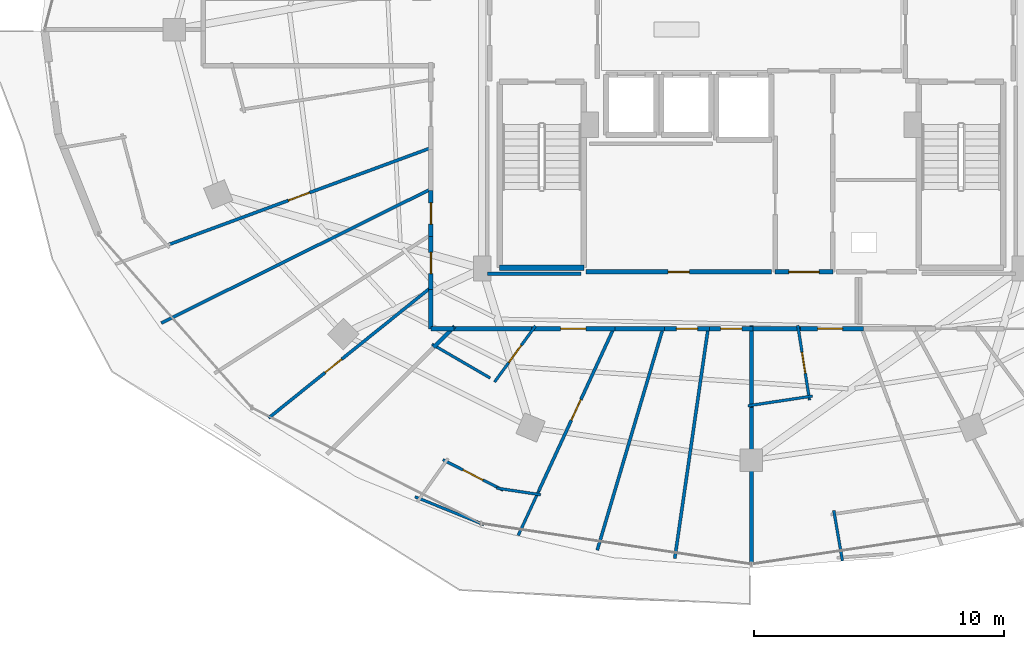
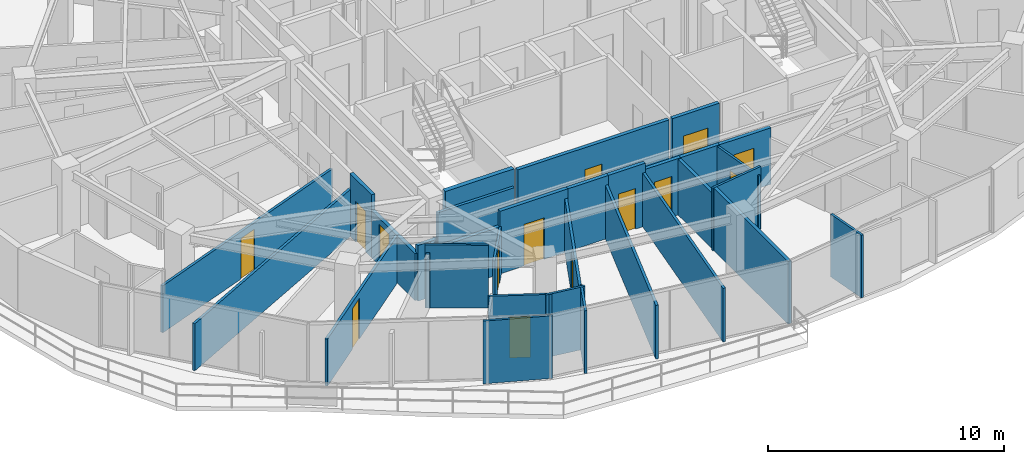
# One storey, part 24 of 34: 33 walls, 14 doors, 14 openings.
"""IFC4 building model written with IfcOpenShell, lengths in metres."""

import ifcopenshell
import ifcopenshell.guid

model = None  # the IFC model being written
_history = None  # IfcOwnerHistory: only IFC2X3 demands one
_inside = {}  # id of a spatial element -> (the spatial element, [elements in it])
_under = {}  # id of a project, library or spatial element -> (it, [spatial elements below it])
_declared = {}  # id of a project -> (the project, [libraries it declares])
_typed = {}  # id of a type object -> (the type object, [elements of that type])
_made_of = {}  # id of a material, layer set ... -> (it, [elements and type objects made of it])


def new_model(schema):
    """Start an empty IFC model of exactly this schema.

    Asked for "IFC4X3", IfcOpenShell would pick the latest addendum, in which some entities
    have other attributes; the version numbers below select the first issue.
    IFC2X3 requires an IfcOwnerHistory on every rooted entity: one is made here for all.
    """
    global model, _history
    if schema == "IFC4X3":
        model = ifcopenshell.file(schema_version=(4, 3, 0, 0))
    else:
        model = ifcopenshell.file(schema=schema)
    _inside.clear()
    _under.clear()
    _declared.clear()
    _typed.clear()
    _made_of.clear()
    _history = None
    if model.schema == "IFC2X3":
        org = make("IfcOrganization", Name="unknown")
        user = make(
            "IfcPersonAndOrganization",
            ThePerson=make("IfcPerson", FamilyName="unknown"),
            TheOrganization=org,
        )
        app = make(
            "IfcApplication",
            ApplicationDeveloper=org,
            Version="unknown",
            ApplicationFullName="unknown",
            ApplicationIdentifier="unknown",
        )
        _history = make(
            "IfcOwnerHistory",
            OwningUser=user,
            OwningApplication=app,
            ChangeAction="ADDED",
            CreationDate=0,
        )
    return model


def make(cls, **values):
    """One entity of the class cls with the attributes given. An attribute that is None is left unset."""
    return model.create_entity(
        cls, **{name: value for name, value in values.items() if value is not None}
    )


def rooted(cls, **values):
    """An entity with a GlobalId (a new one), such as an element, a storey or a relation."""
    return make(cls, GlobalId=ifcopenshell.guid.new(), OwnerHistory=_history, **values)


def si_unit(unit_type, name, prefix=None):
    """IfcSIUnit, for example si_unit("LENGTHUNIT", "METRE", prefix="MILLI")."""
    return make("IfcSIUnit", UnitType=unit_type, Prefix=prefix, Name=name)


def assignment(units):
    """IfcUnitAssignment: the units of a project."""
    return None if units is None else make("IfcUnitAssignment", Units=units)


def point(xyz):
    """IfcCartesianPoint."""
    return None if xyz is None else make("IfcCartesianPoint", Coordinates=xyz)


def direction(xyz):
    """IfcDirection."""
    return None if xyz is None else make("IfcDirection", DirectionRatios=xyz)


def frame(location, z_axis=None, x_axis=None):
    """IfcAxis2Placement3D, a coordinate frame: its origin and axes. An axis left out is left unset."""
    return make(
        "IfcAxis2Placement3D",
        Location=point(location),
        Axis=direction(z_axis),
        RefDirection=direction(x_axis),
    )


def frame_2d(location, x_axis=None):
    """IfcAxis2Placement2D, a coordinate frame in the plane: its origin and x axis."""
    return make(
        "IfcAxis2Placement2D", Location=point(location), RefDirection=direction(x_axis)
    )


def origin():
    """The frame at (0, 0, 0) with its axes left unset."""
    return frame((0.0, 0.0, 0.0))


def place(relative_to, where):
    """IfcLocalPlacement: puts the frame where relative to a parent placement (None: the world)."""
    return make(
        "IfcLocalPlacement", PlacementRelTo=relative_to, RelativePlacement=where
    )


def context(
    kind, dimensions, precision=None, world=None, true_north=None, identifier=None
):
    """IfcGeometricRepresentationContext, for example the 3D "Model" context."""
    return make(
        "IfcGeometricRepresentationContext",
        ContextIdentifier=identifier,
        ContextType=kind,
        CoordinateSpaceDimension=dimensions,
        Precision=precision,
        WorldCoordinateSystem=world,
        TrueNorth=true_north,
    )


def subcontext(parent, identifier, kind, view, scale=None):
    """IfcGeometricRepresentationSubContext, for example "Body" below "Model"."""
    return make(
        "IfcGeometricRepresentationSubContext",
        ContextIdentifier=identifier,
        ContextType=kind,
        ParentContext=parent,
        TargetScale=scale,
        TargetView=view,
    )


def project(units=None, contexts=None):
    """IfcProject with its units and contexts."""
    return rooted(
        "IfcProject",
        Name="project",
        RepresentationContexts=contexts,
        UnitsInContext=assignment(units),
    )


def spatial(cls, under=None, at=None, **own):
    """A site, building, storey or space (cls), placed at a placement, below another one or the project."""
    s = rooted(cls, ObjectPlacement=at, **own)
    if under is not None:
        _under.setdefault(under.id(), (under, []))[1].append(s)
    return s


def profile(cls, at=None, kind="AREA", **sizes):
    """A parametric profile (cls). Its sizes go by their IFC names, for example OverallWidth=200.0."""
    return make(cls, ProfileType=kind, Position=at, **sizes)


def rectangle(**sizes):
    """IfcRectangleProfileDef."""
    return profile("IfcRectangleProfileDef", **sizes)


def extrude(swept, where, along, depth):
    """IfcExtrudedAreaSolid: the profile swept, set in the frame where, extruded along a direction by depth."""
    return make(
        "IfcExtrudedAreaSolid",
        SweptArea=swept,
        Position=where,
        ExtrudedDirection=direction(along),
        Depth=depth,
    )


def shape(context_of_items, identifier, shape_type, items):
    """IfcShapeRepresentation: the items that make up one representation, for example the "Body"."""
    return make(
        "IfcShapeRepresentation",
        ContextOfItems=context_of_items,
        RepresentationIdentifier=identifier,
        RepresentationType=shape_type,
        Items=items,
    )


def material(Name=None, Category=None):
    """IfcMaterial."""
    return make("IfcMaterial", Name=Name, Category=Category)


def layer(
    of_material, thickness, ventilated=None, Name=None, Category=None, Priority=None
):
    """IfcMaterialLayer: one layer of a wall or slab, of a material (None: an air gap)."""
    return make(
        "IfcMaterialLayer",
        Material=of_material,
        LayerThickness=thickness,
        IsVentilated=ventilated,
        Name=Name,
        Category=Category,
        Priority=Priority,
    )


def layer_set(layers, Name=None):
    """IfcMaterialLayerSet."""
    return make("IfcMaterialLayerSet", MaterialLayers=layers, LayerSetName=Name)


def made_of(thing, what):
    """Note that an element or type object is made of a material, layer set ...; save() writes the relation."""
    if what is not None:
        _made_of.setdefault(what.id(), (what, []))[1].append(thing)
    return thing


def type_object(cls, material=None, **own):
    """A type object (cls), such as IfcWallType, which elements share."""
    return made_of(rooted(cls, **own), material)


def element(
    cls,
    number,
    at=None,
    inside=None,
    cuts=None,
    type_object=None,
    material=None,
    context=None,
    identifier="Body",
    shape_type=None,
    held_by="IfcProductDefinitionShape",
    body=None,
    shapes=None,
    **own,
):
    """One element of the class cls, such as IfcWall. Its Tag is "e" and its number.

    at: its placement. inside: the storey or other place that contains it. cuts: it is an
    opening in that element (IfcRelVoidsElement). A single representation is given by context,
    identifier, shape_type and body (its items); several are given by shapes. held_by: the class
    of the entity that holds the representations. save() writes the other relations.
    """
    e = rooted(cls, Tag="e%d" % number, ObjectPlacement=at, **own)
    if body is not None:
        shapes = [shape(context, identifier, shape_type, body)]
    if shapes is not None:
        e.Representation = make(held_by, Representations=shapes)
    if inside is not None:
        _inside.setdefault(inside.id(), (inside, []))[1].append(e)
    if cuts is not None:
        rooted(
            "IfcRelVoidsElement", RelatingBuildingElement=cuts, RelatedOpeningElement=e
        )
    if type_object is not None:
        _typed.setdefault(type_object.id(), (type_object, []))[1].append(e)
    return made_of(e, material)


def fill(opening, filler):
    """IfcRelFillsElement: the door or window that sits in an opening."""
    return rooted(
        "IfcRelFillsElement",
        RelatingOpeningElement=opening,
        RelatedBuildingElement=filler,
    )


def aggregate(whole, parts):
    """IfcRelAggregates: a whole, such as a stair, and the parts it consists of."""
    return rooted("IfcRelAggregates", RelatingObject=whole, RelatedObjects=parts)


def save(model, path):
    """Write the relations noted so far, then the file.

    IfcRelAggregates (storeys below a building ...), IfcRelContainedInSpatialStructure (elements
    in a storey), IfcRelDefinesByType, IfcRelAssociatesMaterial and IfcRelDeclares: one each for
    every whole, place, type object, material and project.
    """
    for whole, parts in _under.values():
        aggregate(whole, parts)
    for where, things in _inside.values():
        rooted(
            "IfcRelContainedInSpatialStructure",
            RelatedElements=things,
            RelatingStructure=where,
        )
    for kind, things in _typed.values():
        rooted("IfcRelDefinesByType", RelatedObjects=things, RelatingType=kind)
    for what, things in _made_of.values():
        rooted("IfcRelAssociatesMaterial", RelatedObjects=things, RelatingMaterial=what)
    for by, libraries in _declared.values():
        rooted("IfcRelDeclares", RelatingContext=by, RelatedDefinitions=libraries)
    model.write(path)


model = new_model("IFC4")

# Units and contexts
model_context = context("Model", 3, precision=1e-05, world=origin(), true_north=direction((0.0, 1.0)))
body_context = subcontext(model_context, "Body", "Model", "MODEL_VIEW")
ifc_project = project(units=[si_unit("LENGTHUNIT", "METRE"), si_unit("AREAUNIT", "SQUARE_METRE"), si_unit("VOLUMEUNIT", "CUBIC_METRE"), si_unit("PLANEANGLEUNIT", "RADIAN"), si_unit("MASSUNIT", "GRAM", prefix="KILO")], contexts=[model_context])

# Site, building, storey
site_placement = place(None, origin())
site = spatial("IfcSite", under=ifc_project, at=site_placement, CompositionType="ELEMENT")
building_placement = place(site_placement, origin())
building = spatial("IfcBuilding", under=site, at=building_placement, Name="Vorneva Point Tower", CompositionType="ELEMENT")
storey_placement = place(building_placement, frame((0.0, 0.0, 182.60009765625)))
storey = spatial("IfcBuildingStorey", under=building, at=storey_placement, Name="L49", CompositionType="ELEMENT", Elevation=182.60009765625)

# Wall, opening, door
ifc_material_1 = material(Name="Fire-rated acoustic gypsum stud partition", Category="gypsum")
ifc_layer_1 = layer(ifc_material_1, 0.110107421875)
ifc_layer_set_1 = layer_set([ifc_layer_1], Name="Fire-rated acoustic gypsum stud partition")
wall_type_1 = type_object("IfcWallType", Name="WL-PART-110", PredefinedType="PARTITIONING", material=ifc_layer_set_1)
wall_1_placement = place(storey_placement, frame((29.37158203125, 14.1630859375, 0.0), z_axis=(0.0, 0.0, 1.0), x_axis=(-0.589066743954, -0.808084383693, 0.0)))
wall_1 = element("IfcWall", 1, at=wall_1_placement, inside=storey, type_object=wall_type_1, Name="L49 Interior Partition 155", PredefinedType="PARTITIONING", context=body_context, shape_type="SweptSolid", body=[
    extrude(rectangle(XDim=2.772216796875, YDim=0.110107421875, at=frame_2d((1.38623046875, 0.0))), origin(), (0.0, 0.0, 1.0), 2.431884765625),
])
opening_1_placement = place(wall_1_placement, frame((0.961181640625, 0.0, 0.0)))
opening_1 = element("IfcOpeningElement", 2, at=opening_1_placement, cuts=wall_1, Name="Opening ID-02", PredefinedType="OPENING", context=body_context, shape_type="SweptSolid", body=[
    extrude(rectangle(XDim=0.85009765625, YDim=2.10009765625, at=frame_2d((0.425048828125, 1.050048828125))), frame((0.0, 0.06982421875, 0.0), z_axis=(0.0, -1.0, 0.0), x_axis=(1.0, 0.0, 0.0)), (0.0, 0.0, 1.0), 0.139892578125),
])
ifc_material_2 = material(Name="Engineered oak fire-rated door leaf", Category="wood")
door_type_1 = type_object("IfcDoorType", Name="DR-BATH-850", OperationType="NOTDEFINED", PredefinedType="DOOR", material=ifc_material_2)
door_1_placement = place(opening_1_placement, origin())
door_1 = element("IfcDoor", 3, at=door_1_placement, inside=storey, type_object=door_type_1, Name="L49 Door Living and Dining Room L49-06 / Bathroom L49-06", OperationType="SINGLE_SWING_RIGHT", OverallHeight=2.10009765625, OverallWidth=0.85009765625, PredefinedType="DOOR", context=body_context, shape_type="SweptSolid", body=[
    extrude(rectangle(XDim=0.85009765625, YDim=2.10009765625, at=frame_2d((0.425048828125, 1.050048828125))), frame((0.0, 0.02490234375, 0.0), z_axis=(0.0, -1.0, 0.0), x_axis=(1.0, 0.0, 0.0)), (0.0, 0.0, 1.0), 0.050048828125),
])
fill(opening_1, door_1)

# Wall
wall_2_placement = place(storey_placement, frame((27.568115234375, 12.08251953125, 0.0), z_axis=(0.0, 0.0, 1.0), x_axis=(-0.864515441931, 0.502606258082, 0.0)))
element("IfcWall", 4, at=wall_2_placement, inside=storey, type_object=wall_type_1, Name="L49 Interior Partition 156", PredefinedType="PARTITIONING", context=body_context, shape_type="SweptSolid", body=[
    extrude(rectangle(XDim=2.689697265625, YDim=0.110107421875, at=frame_2d((1.3447265625, 0.0))), origin(), (0.0, 0.0, 1.0), 3.239990234375),
])

# Wall, opening, door
wall_3_placement = place(storey_placement, frame((25.675048828125, 8.820068359375, 0.0), z_axis=(0.0, 0.0, 1.0), x_axis=(0.892628057427, -0.450793911999, 0.0)))
wall_3 = element("IfcWall", 5, at=wall_3_placement, inside=storey, type_object=wall_type_1, Name="L49 Interior Partition 158", PredefinedType="PARTITIONING", context=body_context, shape_type="SweptSolid", body=[
    extrude(rectangle(XDim=2.697509765625, YDim=0.110107421875, at=frame_2d((1.3486328125, 0.0))), origin(), (0.0, 0.0, 1.0), 3.239990234375),
])
opening_2_placement = place(wall_3_placement, frame((0.89892578125, 0.0, 0.0)))
opening_2 = element("IfcOpeningElement", 6, at=opening_2_placement, cuts=wall_3, Name="Opening ID-01", PredefinedType="OPENING", context=body_context, shape_type="SweptSolid", body=[
    extrude(rectangle(XDim=0.89990234375, YDim=2.10009765625, at=frame_2d((0.449951171875, 1.050048828125))), frame((0.0, 0.06982421875, 0.0), z_axis=(0.0, -1.0, 0.0), x_axis=(1.0, 0.0, 0.0)), (0.0, 0.0, 1.0), 0.139892578125),
])
door_type_2 = type_object("IfcDoorType", Name="DR-ROOM-900", OperationType="NOTDEFINED", PredefinedType="DOOR", material=ifc_material_2)
door_2_placement = place(opening_2_placement, origin())
door_2 = element("IfcDoor", 7, at=door_2_placement, inside=storey, type_object=door_type_2, Name="L49 Door Living and Dining Room L49-06 / Kitchen L49-06", OperationType="SINGLE_SWING_RIGHT", OverallHeight=2.10009765625, OverallWidth=0.89990234375, PredefinedType="DOOR", context=body_context, shape_type="SweptSolid", body=[
    extrude(rectangle(XDim=0.89990234375, YDim=2.10009765625, at=frame_2d((0.449951171875, 1.050048828125))), frame((0.0, 0.02490234375, 0.0), z_axis=(0.0, -1.0, 0.0), x_axis=(1.0, 0.0, 0.0)), (0.0, 0.0, 1.0), 0.050048828125),
])
fill(opening_2, door_2)

# Walls
wall_4_placement = place(storey_placement, frame((27.819580078125, 7.68798828125, 0.0), z_axis=(0.0, 0.0, 1.0), x_axis=(0.988830695744, -0.149043131857, 0.0)))
element("IfcWall", 8, at=wall_4_placement, inside=storey, type_object=wall_type_1, Name="L49 Interior Partition 159", PredefinedType="PARTITIONING", context=body_context, shape_type="SweptSolid", body=[
    extrude(rectangle(XDim=1.783935546875, YDim=0.110107421875, at=frame_2d((0.89208984375, 0.0))), origin(), (0.0, 0.0, 1.0), 3.239990234375),
])
wall_5_placement = place(storey_placement, frame((29.503662109375, 7.570068359375, 0.0), z_axis=(0.0, 0.0, 1.0), x_axis=(-0.418662115749, -0.908142077451, 0.0)))
element("IfcWall", 9, at=wall_5_placement, inside=storey, type_object=wall_type_1, Name="L49 Interior Partition 160", PredefinedType="PARTITIONING", context=body_context, shape_type="SweptSolid", body=[
    extrude(rectangle(XDim=1.95458984375, YDim=0.110107421875, at=frame_2d((0.977294921875, 0.0))), origin(), (0.0, 0.0, 1.0), 3.239990234375),
])
wall_6_placement = place(storey_placement, frame((24.561279296875, 7.342529296875, 0.0), z_axis=(0.0, 0.0, 1.0), x_axis=(0.926858319785, -0.375411314487, 0.0)))
element("IfcWall", 10, at=wall_6_placement, inside=storey, type_object=wall_type_1, Name="L49 Interior Partition 161", PredefinedType="PARTITIONING", context=body_context, shape_type="SweptSolid", body=[
    extrude(rectangle(XDim=2.970703125, YDim=0.110107421875, at=frame_2d((1.4853515625, 0.0))), origin(), (0.0, 0.0, 1.0), 3.239990234375),
])

# Wall, opening, door
wall_7_placement = place(storey_placement, frame((39.851318359375, 14.188232421875, 0.0), z_axis=(0.0, 0.0, 1.0), x_axis=(0.154995605388, -0.98791515947, 0.0)))
wall_7 = element("IfcWall", 11, at=wall_7_placement, inside=storey, type_object=wall_type_1, Name="L49 Interior Partition 167", PredefinedType="PARTITIONING", context=body_context, shape_type="SweptSolid", body=[
    extrude(rectangle(XDim=3.021240234375, YDim=0.110107421875, at=frame_2d((1.5107421875, 0.0))), origin(), (0.0, 0.0, 1.0), 2.8740234375),
])
opening_3_placement = place(wall_7_placement, frame((1.085693359375, 0.0, 0.0)))
opening_3 = element("IfcOpeningElement", 12, at=opening_3_placement, cuts=wall_7, Name="Opening ID-02", PredefinedType="OPENING", context=body_context, shape_type="SweptSolid", body=[
    extrude(rectangle(XDim=0.85009765625, YDim=2.10009765625, at=frame_2d((0.425048828125, 1.050048828125))), frame((0.0, 0.06982421875, 0.0), z_axis=(0.0, -1.0, 0.0), x_axis=(1.0, 0.0, 0.0)), (0.0, 0.0, 1.0), 0.139892578125),
])
door_3_placement = place(opening_3_placement, origin())
door_3 = element("IfcDoor", 13, at=door_3_placement, inside=storey, type_object=door_type_1, Name="L49 Door Living and Dining Room L49-07 / Bathroom L49-07", OperationType="SINGLE_SWING_RIGHT", OverallHeight=2.10009765625, OverallWidth=0.85009765625, PredefinedType="DOOR", context=body_context, shape_type="SweptSolid", body=[
    extrude(rectangle(XDim=0.85009765625, YDim=2.10009765625, at=frame_2d((0.425048828125, 1.050048828125))), frame((0.0, 0.02490234375, 0.0), z_axis=(0.0, -1.0, 0.0), x_axis=(1.0, 0.0, 0.0)), (0.0, 0.0, 1.0), 0.050048828125),
])
fill(opening_3, door_3)

# Walls
wall_8_placement = place(storey_placement, frame((40.436279296875, 11.36279296875, 0.0), z_axis=(0.0, 0.0, 1.0), x_axis=(-0.988852287037, -0.148899813371, 0.0)))
element("IfcWall", 14, at=wall_8_placement, inside=storey, type_object=wall_type_1, Name="L49 Interior Partition 168", PredefinedType="PARTITIONING", context=body_context, shape_type="SweptSolid", body=[
    extrude(rectangle(XDim=2.603759765625, YDim=0.110107421875, at=frame_2d((1.3017578125, 0.0))), origin(), (0.0, 0.0, 1.0), 3.239990234375),
])
wall_9_placement = place(storey_placement, frame((41.634521484375, 4.781982421875, 0.0), z_axis=(0.0, 0.0, 1.0), x_axis=(-0.168804313657, 0.985649584635, 0.0)))
element("IfcWall", 15, at=wall_9_placement, inside=storey, type_object=wall_type_1, Name="L49 Interior Partition 169", PredefinedType="PARTITIONING", context=body_context, shape_type="SweptSolid", body=[
    extrude(rectangle(XDim=2.039306640625, YDim=0.110107421875, at=frame_2d((1.01953125, 0.0))), origin(), (0.0, 0.0, 1.0), 3.239990234375),
])

# Wall, opening, door
ifc_layer_2 = layer(ifc_material_1, 0.125)
ifc_layer_set_2 = layer_set([ifc_layer_2], Name="Fire-rated acoustic gypsum stud partition")
wall_type_2 = type_object("IfcWallType", Name="WL-PART-125", PredefinedType="PARTITIONING", material=ifc_layer_set_2)
wall_10_placement = place(storey_placement, frame((14.656982421875, 17.387939453125, 0.0), z_axis=(0.0, 0.0, 1.0), x_axis=(0.938173124492, 0.346166417322, 0.0)))
wall_10 = element("IfcWall", 16, at=wall_10_placement, inside=storey, type_object=wall_type_2, Name="L49 Interior Partition 148", PredefinedType="PARTITIONING", context=body_context, shape_type="SweptSolid", body=[
    extrude(rectangle(XDim=11.23779296875, YDim=0.125, at=frame_2d((5.618896484375, 0.0))), origin(), (0.0, 0.0, 1.0), 2.431884765625),
])
opening_4_placement = place(wall_10_placement, frame((5.1689453125, 0.0, 0.0)))
opening_4 = element("IfcOpeningElement", 17, at=opening_4_placement, cuts=wall_10, Name="Opening ID-01", PredefinedType="OPENING", context=body_context, shape_type="SweptSolid", body=[
    extrude(rectangle(XDim=0.89990234375, YDim=2.10009765625, at=frame_2d((0.449951171875, 1.050048828125))), frame((0.0, 0.077392578125, 0.0), z_axis=(0.0, -1.0, 0.0), x_axis=(1.0, 0.0, 0.0)), (0.0, 0.0, 1.0), 0.15478515625),
])
door_4_placement = place(opening_4_placement, origin())
door_4 = element("IfcDoor", 18, at=door_4_placement, inside=storey, type_object=door_type_2, Name="L49 Door Living and Dining Room L49-05 / Master Bedroom L49-05.1", OperationType="SINGLE_SWING_LEFT", OverallHeight=2.10009765625, OverallWidth=0.89990234375, PredefinedType="DOOR", context=body_context, shape_type="SweptSolid", body=[
    extrude(rectangle(XDim=0.89990234375, YDim=2.10009765625, at=frame_2d((0.449951171875, 1.050048828125))), frame((0.0, 0.02490234375, 0.0), z_axis=(0.0, -1.0, 0.0), x_axis=(1.0, 0.0, 0.0)), (0.0, 0.0, 1.0), 0.050048828125),
])
fill(opening_4, door_4)

# Wall
wall_11_placement = place(storey_placement, frame((14.427978515625, 14.280029296875, 0.0), z_axis=(0.0, 0.0, 1.0), x_axis=(0.895423439435, 0.44521552546, 0.0)))
element("IfcWall", 19, at=wall_11_placement, inside=storey, type_object=wall_type_2, Name="L49 Interior Partition 150", PredefinedType="PARTITIONING", context=body_context, shape_type="SweptSolid", body=[
    extrude(rectangle(XDim=12.030029296875, YDim=0.125, at=frame_2d((6.01513671875, 0.0))), origin(), (0.0, 0.0, 1.0), 2.431884765625),
])

# Wall, opening, door
wall_12_placement = place(storey_placement, frame((18.715087890625, 10.487060546875, 0.0), z_axis=(0.0, 0.0, 1.0), x_axis=(0.779157389419, 0.626828335762, 0.0)))
wall_12 = element("IfcWall", 20, at=wall_12_placement, inside=storey, type_object=wall_type_2, Name="L49 Interior Partition 152", PredefinedType="PARTITIONING", context=body_context, shape_type="SweptSolid", body=[
    extrude(rectangle(XDim=8.322998046875, YDim=0.125, at=frame_2d((4.16162109375, 0.0))), origin(), (0.0, 0.0, 1.0), 2.431884765625),
])
opening_5_placement = place(wall_12_placement, frame((2.896484375, 0.0, 0.0)))
opening_5 = element("IfcOpeningElement", 21, at=opening_5_placement, cuts=wall_12, Name="Opening ID-02", PredefinedType="OPENING", context=body_context, shape_type="SweptSolid", body=[
    extrude(rectangle(XDim=0.85009765625, YDim=2.10009765625, at=frame_2d((0.425048828125, 1.050048828125))), frame((0.0, 0.077392578125, 0.0), z_axis=(0.0, -1.0, 0.0), x_axis=(1.0, 0.0, 0.0)), (0.0, 0.0, 1.0), 0.15478515625),
])
door_5_placement = place(opening_5_placement, origin())
door_5 = element("IfcDoor", 22, at=door_5_placement, inside=storey, type_object=door_type_1, Name="L49 Access Door Bedroom L49-05.3", OperationType="SINGLE_SWING_LEFT", OverallHeight=2.10009765625, OverallWidth=0.85009765625, PredefinedType="DOOR", context=body_context, shape_type="SweptSolid", body=[
    extrude(rectangle(XDim=0.85009765625, YDim=2.10009765625, at=frame_2d((0.425048828125, 1.050048828125))), frame((0.0, 0.02490234375, 0.0), z_axis=(0.0, -1.0, 0.0), x_axis=(1.0, 0.0, 0.0)), (0.0, 0.0, 1.0), 0.050048828125),
])
fill(opening_5, door_5)

wall_13_placement = place(storey_placement, frame((29.503662109375, 7.570068359375, 0.0), z_axis=(0.0, 0.0, 1.0), x_axis=(0.418658902348, 0.908143558852, 0.0)))
wall_13 = element("IfcWall", 23, at=wall_13_placement, inside=storey, type_object=wall_type_2, Name="L49 Interior Partition 162", PredefinedType="PARTITIONING", context=body_context, shape_type="SweptSolid", body=[
    extrude(rectangle(XDim=7.135498046875, YDim=0.125, at=frame_2d((3.56787109375, 0.0))), origin(), (0.0, 0.0, 1.0), 2.77392578125),
])
opening_6_placement = place(wall_13_placement, frame((3.11767578125, 0.0, 0.0)))
opening_6 = element("IfcOpeningElement", 24, at=opening_6_placement, cuts=wall_13, Name="Opening ID-01", PredefinedType="OPENING", context=body_context, shape_type="SweptSolid", body=[
    extrude(rectangle(XDim=0.89990234375, YDim=2.10009765625, at=frame_2d((0.449951171875, 1.050048828125))), frame((0.0, 0.077392578125, 0.0), z_axis=(0.0, -1.0, 0.0), x_axis=(1.0, 0.0, 0.0)), (0.0, 0.0, 1.0), 0.15478515625),
])
door_6_placement = place(opening_6_placement, origin())
door_6 = element("IfcDoor", 25, at=door_6_placement, inside=storey, type_object=door_type_2, Name="L49 Door Living and Dining Room L49-06 / Master Bedroom L49-06.1", OperationType="SINGLE_SWING_LEFT", OverallHeight=2.10009765625, OverallWidth=0.89990234375, PredefinedType="DOOR", context=body_context, shape_type="SweptSolid", body=[
    extrude(rectangle(XDim=0.89990234375, YDim=2.10009765625, at=frame_2d((0.449951171875, 1.050048828125))), frame((0.0, 0.02490234375, 0.0), z_axis=(0.0, -1.0, 0.0), x_axis=(1.0, 0.0, 0.0)), (0.0, 0.0, 1.0), 0.050048828125),
])
fill(opening_6, door_6)

# Walls
wall_14_placement = place(storey_placement, frame((31.842041015625, 5.2099609375, 0.0), z_axis=(0.0, 0.0, 1.0), x_axis=(0.283952183478, 0.958838441813, 0.0)))
element("IfcWall", 26, at=wall_14_placement, inside=storey, type_object=wall_type_2, Name="L49 Interior Partition 163", PredefinedType="PARTITIONING", context=body_context, shape_type="SweptSolid", body=[
    extrude(rectangle(XDim=9.219482421875, YDim=0.125, at=frame_2d((4.60986328125, 0.0))), origin(), (0.0, 0.0, 1.0), 2.77392578125),
])
wall_15_placement = place(storey_placement, frame((34.93798828125, 4.87890625, 0.0), z_axis=(0.0, 0.0, 1.0), x_axis=(0.143423836858, 0.989661357749, 0.0)))
element("IfcWall", 27, at=wall_15_placement, inside=storey, type_object=wall_type_2, Name="L49 Interior Partition 164", PredefinedType="PARTITIONING", context=body_context, shape_type="SweptSolid", body=[
    extrude(rectangle(XDim=9.266845703125, YDim=0.125, at=frame_2d((4.63330078125, 0.0))), origin(), (0.0, 0.0, 1.0), 2.77392578125),
])
ifc_layer_3 = layer(ifc_material_1, 0.139892578125)
ifc_layer_set_3 = layer_set([ifc_layer_3], Name="Fire-rated acoustic gypsum stud partition")
wall_type_3 = type_object("IfcWallType", Name="WL-PART-140", PredefinedType="PARTITIONING", material=ifc_layer_set_3)
wall_16_placement = place(storey_placement, frame((27.449951171875, 16.239990234375, 0.0), z_axis=(0.0, 0.0, 1.0), x_axis=(1.0, 0.0, 0.0)))
element("IfcWall", 28, at=wall_16_placement, inside=storey, type_object=wall_type_3, Name="L49 Interior Closure Partition 205", PredefinedType="PARTITIONING", context=body_context, shape_type="SweptSolid", body=[
    extrude(rectangle(XDim=3.7451171875, YDim=0.139892578125, at=frame_2d((1.87255859375, 0.0))), origin(), (0.0, 0.0, 1.0), 2.431884765625),
])
ifc_layer_4 = layer(ifc_material_1, 0.159912109375)
ifc_layer_set_4 = layer_set([ifc_layer_4], Name="Fire-rated acoustic gypsum stud partition")
wall_type_4 = type_object("IfcWallType", Name="WL-PART-160", PredefinedType="PARTITIONING", material=ifc_layer_set_4)
wall_17_placement = place(storey_placement, frame((25.30908203125, 13.30908203125, 0.0), z_axis=(0.0, 0.0, 1.0), x_axis=(0.707106781187, 0.707106781187, 0.0)))
element("IfcWall", 29, at=wall_17_placement, inside=storey, type_object=wall_type_4, Name="L49 Interior Partition 154", PredefinedType="PARTITIONING", context=body_context, shape_type="SweptSolid", body=[
    extrude(rectangle(XDim=1.187744140625, YDim=0.159912109375, at=frame_2d((0.59375, 0.0))), origin(), (0.0, 0.0, 1.0), 2.8740234375),
])
wall_18_placement = place(storey_placement, frame((38.0, 4.64990234375, 0.0), z_axis=(0.0, 0.0, 1.0), x_axis=(0.0, 1.0, 0.0)))
element("IfcWall", 30, at=wall_18_placement, inside=storey, type_object=wall_type_4, Name="L49 Interior Partition 165", PredefinedType="PARTITIONING", context=body_context, shape_type="SweptSolid", body=[
    extrude(rectangle(XDim=6.406982421875, YDim=0.159912109375, at=frame_2d((3.20361328125, 0.0))), origin(), (0.0, 0.0, 1.0), 3.239990234375),
])
wall_19_placement = place(storey_placement, frame((38.0, 10.9169921875, 0.0), z_axis=(0.0, 0.0, 1.0), x_axis=(0.0, 1.0, 0.0)))
element("IfcWall", 31, at=wall_19_placement, inside=storey, type_object=wall_type_4, Name="L49 Interior Partition 166", PredefinedType="PARTITIONING", context=body_context, shape_type="SweptSolid", body=[
    extrude(rectangle(XDim=3.27294921875, YDim=0.159912109375, at=frame_2d((1.636474609375, 0.0))), origin(), (0.0, 0.0, 1.0), 2.8740234375),
])

# Wall, opening, door
ifc_material_3 = material(Name="Autoclaved aerated concrete blockwork", Category="masonry")
ifc_layer_5 = layer(ifc_material_3, 0.179931640625)
ifc_layer_set_5 = layer_set([ifc_layer_5], Name="Autoclaved aerated concrete blockwork")
wall_type_5 = type_object("IfcWallType", Name="WL-PART-180", PredefinedType="PARTITIONING", material=ifc_layer_set_5)
wall_20_placement = place(storey_placement, frame((38.949951171875, 16.320068359375, 0.0), z_axis=(0.0, 0.0, 1.0), x_axis=(1.0, 0.0, 0.0)))
wall_20 = element("IfcWall", 32, at=wall_20_placement, inside=storey, type_object=wall_type_5, Name="L49 Interior Partition 016", PredefinedType="PARTITIONING", context=body_context, shape_type="SweptSolid", body=[
    extrude(rectangle(XDim=2.300048828125, YDim=0.179931640625, at=frame_2d((1.14990234375, 0.0))), origin(), (0.0, 0.0, 1.0), 3.239990234375),
])
opening_7_placement = place(wall_20_placement, frame((0.550048828125, 0.0, 0.0)))
opening_7 = element("IfcOpeningElement", 33, at=opening_7_placement, cuts=wall_20, Name="Opening FD-02", PredefinedType="OPENING", context=body_context, shape_type="SweptSolid", body=[
    extrude(rectangle(XDim=1.199951171875, YDim=2.14990234375, at=frame_2d((0.60009765625, 1.074951171875))), frame((0.0, 0.10498046875, 0.0), z_axis=(0.0, -1.0, 0.0), x_axis=(1.0, 0.0, 0.0)), (0.0, 0.0, 1.0), 0.209716796875),
])
ifc_material_4 = material(Name="Fire-rated powder-coated steel", Category="steel")
door_type_3 = type_object("IfcDoorType", Name="DR-FFL-1200", OperationType="NOTDEFINED", PredefinedType="DOOR", material=ifc_material_4)
door_7_placement = place(opening_7_placement, origin())
door_7 = element("IfcDoor", 34, at=door_7_placement, inside=storey, type_object=door_type_3, Name="L49 Door Core Service Lobby / L49 Circulation Corridor", OperationType="SINGLE_SWING_LEFT", OverallHeight=2.14990234375, OverallWidth=1.199951171875, PredefinedType="DOOR", context=body_context, shape_type="SweptSolid", body=[
    extrude(rectangle(XDim=1.199951171875, YDim=2.14990234375, at=frame_2d((0.60009765625, 1.074951171875))), frame((0.0, 0.02490234375, 0.0), z_axis=(0.0, -1.0, 0.0), x_axis=(1.0, 0.0, 0.0)), (0.0, 0.0, 1.0), 0.050048828125),
])
fill(opening_7, door_7)

wall_21_placement = place(storey_placement, frame((31.39990234375, 16.320068359375, 0.0), z_axis=(0.0, 0.0, 1.0), x_axis=(1.0, 0.0, 0.0)))
wall_21 = element("IfcWall", 35, at=wall_21_placement, inside=storey, type_object=wall_type_5, Name="L49 Interior Partition 025", PredefinedType="PARTITIONING", context=body_context, shape_type="SweptSolid", body=[
    extrude(rectangle(XDim=7.400146484375, YDim=0.179931640625, at=frame_2d((3.7001953125, 0.0))), origin(), (0.0, 0.0, 1.0), 3.239990234375),
])
opening_8_placement = place(wall_21_placement, frame((3.27490234375, 0.0, 0.0)))
opening_8 = element("IfcOpeningElement", 36, at=opening_8_placement, cuts=wall_21, Name="Opening ID-02", PredefinedType="OPENING", context=body_context, shape_type="SweptSolid", body=[
    extrude(rectangle(XDim=0.85009765625, YDim=2.10009765625, at=frame_2d((0.425048828125, 1.050048828125))), frame((0.0, 0.10498046875, 0.0), z_axis=(0.0, -1.0, 0.0), x_axis=(1.0, 0.0, 0.0)), (0.0, 0.0, 1.0), 0.209716796875),
])
door_8_placement = place(opening_8_placement, origin())
door_8 = element("IfcDoor", 37, at=door_8_placement, inside=storey, type_object=door_type_1, Name="L49 Door Floor Storage Room / L49 Circulation Corridor", OperationType="SINGLE_SWING_LEFT", OverallHeight=2.10009765625, OverallWidth=0.85009765625, PredefinedType="DOOR", context=body_context, shape_type="SweptSolid", body=[
    extrude(rectangle(XDim=0.85009765625, YDim=2.10009765625, at=frame_2d((0.425048828125, 1.050048828125))), frame((0.0, 0.02490234375, 0.0), z_axis=(0.0, -1.0, 0.0), x_axis=(1.0, 0.0, 0.0)), (0.0, 0.0, 1.0), 0.050048828125),
])
fill(opening_8, door_8)

wall_22_placement = place(storey_placement, frame((25.199951171875, 19.569091796875, 0.0), z_axis=(0.0, 0.0, 1.0), x_axis=(0.0, -1.0, 0.0)))
wall_22 = element("IfcWall", 38, at=wall_22_placement, inside=storey, type_object=wall_type_5, Name="L49 Interior Partition 064", PredefinedType="PARTITIONING", context=body_context, shape_type="SweptSolid", body=[
    extrude(rectangle(XDim=1.833984375, YDim=0.179931640625, at=frame_2d((0.9169921875, 0.0))), origin(), (0.0, 0.0, 1.0), 3.239990234375),
])
opening_9_placement = place(wall_22_placement, frame((0.491943359375, 0.0, 0.0)))
opening_9 = element("IfcOpeningElement", 39, at=opening_9_placement, cuts=wall_22, Name="Opening ID-02", PredefinedType="OPENING", context=body_context, shape_type="SweptSolid", body=[
    extrude(rectangle(XDim=0.85009765625, YDim=2.10009765625, at=frame_2d((0.425048828125, 1.050048828125))), frame((0.0, 0.10498046875, 0.0), z_axis=(0.0, -1.0, 0.0), x_axis=(1.0, 0.0, 0.0)), (0.0, 0.0, 1.0), 0.209716796875),
])
door_9_placement = place(opening_9_placement, origin())
door_9 = element("IfcDoor", 40, at=door_9_placement, inside=storey, type_object=door_type_1, Name="L49 Access Door L49 Circulation Corridor", OperationType="SINGLE_SWING_LEFT", OverallHeight=2.10009765625, OverallWidth=0.85009765625, PredefinedType="DOOR", context=body_context, shape_type="SweptSolid", body=[
    extrude(rectangle(XDim=0.85009765625, YDim=2.10009765625, at=frame_2d((0.425048828125, 1.050048828125))), frame((0.0, 0.02490234375, 0.0), z_axis=(0.0, -1.0, 0.0), x_axis=(1.0, 0.0, 0.0)), (0.0, 0.0, 1.0), 0.050048828125),
])
fill(opening_9, door_9)

wall_23_placement = place(storey_placement, frame((25.199951171875, 17.735107421875, 0.0), z_axis=(0.0, 0.0, 1.0), x_axis=(0.0, -1.0, 0.0)))
wall_23 = element("IfcWall", 41, at=wall_23_placement, inside=storey, type_object=wall_type_5, Name="L49 Interior Partition 065", PredefinedType="PARTITIONING", context=body_context, shape_type="SweptSolid", body=[
    extrude(rectangle(XDim=2.108154296875, YDim=0.179931640625, at=frame_2d((1.05419921875, 0.0))), origin(), (0.0, 0.0, 1.0), 2.431884765625),
])
opening_10_placement = place(wall_23_placement, frame((0.62890625, 0.0, 0.0)))
opening_10 = element("IfcOpeningElement", 42, at=opening_10_placement, cuts=wall_23, Name="Opening ID-02", PredefinedType="OPENING", context=body_context, shape_type="SweptSolid", body=[
    extrude(rectangle(XDim=0.85009765625, YDim=2.10009765625, at=frame_2d((0.425048828125, 1.050048828125))), frame((0.0, 0.10498046875, 0.0), z_axis=(0.0, -1.0, 0.0), x_axis=(1.0, 0.0, 0.0)), (0.0, 0.0, 1.0), 0.209716796875),
])
door_10_placement = place(opening_10_placement, origin())
door_10 = element("IfcDoor", 43, at=door_10_placement, inside=storey, type_object=door_type_1, Name="L49 Access Door L49 Circulation Corridor", OperationType="SINGLE_SWING_RIGHT", OverallHeight=2.10009765625, OverallWidth=0.85009765625, PredefinedType="DOOR", context=body_context, shape_type="SweptSolid", body=[
    extrude(rectangle(XDim=0.85009765625, YDim=2.10009765625, at=frame_2d((0.425048828125, 1.050048828125))), frame((0.0, 0.02490234375, 0.0), z_axis=(0.0, -1.0, 0.0), x_axis=(1.0, 0.0, 0.0)), (0.0, 0.0, 1.0), 0.050048828125),
])
fill(opening_10, door_10)

# Walls
wall_24_placement = place(storey_placement, frame((25.199951171875, 15.626953125, 0.0), z_axis=(0.0, 0.0, 1.0), x_axis=(0.0, -1.0, 0.0)))
element("IfcWall", 44, at=wall_24_placement, inside=storey, type_object=wall_type_5, Name="L49 Interior Partition 066", PredefinedType="PARTITIONING", context=body_context, shape_type="SweptSolid", body=[
    extrude(rectangle(XDim=1.576904296875, YDim=0.179931640625, at=frame_2d((0.78857421875, 0.0))), origin(), (0.0, 0.0, 1.0), 2.431884765625),
])
wall_25_placement = place(storey_placement, frame((25.199951171875, 14.050048828125, 0.0), z_axis=(0.0, 0.0, 1.0), x_axis=(1.0, 0.0, 0.0)))
element("IfcWall", 45, at=wall_25_placement, inside=storey, type_object=wall_type_5, Name="L49 Interior Partition 067", PredefinedType="PARTITIONING", context=body_context, shape_type="SweptSolid", body=[
    extrude(rectangle(XDim=0.91015625, YDim=0.179931640625, at=frame_2d((0.455078125, 0.0))), origin(), (0.0, 0.0, 1.0), 2.8740234375),
])

# Wall, opening, door
wall_26_placement = place(storey_placement, frame((29.215087890625, 14.050048828125, 0.0), z_axis=(0.0, 0.0, 1.0), x_axis=(1.0, 0.0, 0.0)))
wall_26 = element("IfcWall", 46, at=wall_26_placement, inside=storey, type_object=wall_type_5, Name="L49 Interior Partition 068", PredefinedType="PARTITIONING", context=body_context, shape_type="SweptSolid", body=[
    extrude(rectangle(XDim=3.3359375, YDim=0.179931640625, at=frame_2d((1.66796875, 0.0))), origin(), (0.0, 0.0, 1.0), 3.239990234375),
])
opening_11_placement = place(wall_26_placement, frame((1.16796875, 0.0, 0.0)))
opening_11 = element("IfcOpeningElement", 47, at=opening_11_placement, cuts=wall_26, Name="Opening UD-01", PredefinedType="OPENING", context=body_context, shape_type="SweptSolid", body=[
    extrude(rectangle(XDim=1.0, YDim=2.14990234375, at=frame_2d((0.5, 1.074951171875))), frame((0.0, 0.10498046875, 0.0), z_axis=(0.0, -1.0, 0.0), x_axis=(1.0, 0.0, 0.0)), (0.0, 0.0, 1.0), 0.209716796875),
])
door_type_4 = type_object("IfcDoorType", Name="DR-UNIT-1000", OperationType="NOTDEFINED", PredefinedType="DOOR", material=ifc_material_2)
door_11_placement = place(opening_11_placement, origin())
door_11 = element("IfcDoor", 48, at=door_11_placement, inside=storey, type_object=door_type_4, Name="L49 Door L49 Circulation Corridor / Living and Dining Room L49-06", OperationType="SINGLE_SWING_RIGHT", OverallHeight=2.14990234375, OverallWidth=1.0, PredefinedType="DOOR", context=body_context, shape_type="SweptSolid", body=[
    extrude(rectangle(XDim=1.0, YDim=2.14990234375, at=frame_2d((0.5, 1.074951171875))), frame((0.0, 0.02490234375, 0.0), z_axis=(0.0, -1.0, 0.0), x_axis=(1.0, 0.0, 0.0)), (0.0, 0.0, 1.0), 0.050048828125),
])
fill(opening_11, door_11)

# Walls
wall_27_placement = place(storey_placement, frame((25.969970703125, 14.050048828125, 0.0), z_axis=(0.0, 0.0, 1.0), x_axis=(1.0, 0.0, 0.0)))
element("IfcWall", 49, at=wall_27_placement, inside=storey, type_object=wall_type_5, Name="L49 Interior Partition 069", PredefinedType="PARTITIONING", context=body_context, shape_type="SweptSolid", body=[
    extrude(rectangle(XDim=3.385009765625, YDim=0.179931640625, at=frame_2d((1.6923828125, 0.0))), origin(), (0.0, 0.0, 1.0), 2.431884765625),
])
wall_28_placement = place(storey_placement, frame((32.551025390625, 14.050048828125, 0.0), z_axis=(0.0, 0.0, 1.0), x_axis=(1.0, 0.0, 0.0)))
element("IfcWall", 50, at=wall_28_placement, inside=storey, type_object=wall_type_5, Name="L49 Interior Partition 070", PredefinedType="PARTITIONING", context=body_context, shape_type="SweptSolid", body=[
    extrude(rectangle(XDim=1.968994140625, YDim=0.179931640625, at=frame_2d((0.984375, 0.0))), origin(), (0.0, 0.0, 1.0), 3.239990234375),
])

# Wall, opening, door
wall_29_placement = place(storey_placement, frame((34.52001953125, 14.050048828125, 0.0), z_axis=(0.0, 0.0, 1.0), x_axis=(1.0, 0.0, 0.0)))
wall_29 = element("IfcWall", 51, at=wall_29_placement, inside=storey, type_object=wall_type_5, Name="L49 Interior Partition 071", PredefinedType="PARTITIONING", context=body_context, shape_type="SweptSolid", body=[
    extrude(rectangle(XDim=1.806884765625, YDim=0.179931640625, at=frame_2d((0.9033203125, 0.0))), origin(), (0.0, 0.0, 1.0), 3.239990234375),
])
opening_12_placement = place(wall_29_placement, frame((0.478515625, 0.0, 0.0)))
opening_12 = element("IfcOpeningElement", 52, at=opening_12_placement, cuts=wall_29, Name="Opening ID-02", PredefinedType="OPENING", context=body_context, shape_type="SweptSolid", body=[
    extrude(rectangle(XDim=0.85009765625, YDim=2.10009765625, at=frame_2d((0.425048828125, 1.050048828125))), frame((0.0, 0.10498046875, 0.0), z_axis=(0.0, -1.0, 0.0), x_axis=(1.0, 0.0, 0.0)), (0.0, 0.0, 1.0), 0.209716796875),
])
door_12_placement = place(opening_12_placement, origin())
door_12 = element("IfcDoor", 53, at=door_12_placement, inside=storey, type_object=door_type_1, Name="L49 Access Door L49 Circulation Corridor", OperationType="SINGLE_SWING_LEFT", OverallHeight=2.10009765625, OverallWidth=0.85009765625, PredefinedType="DOOR", context=body_context, shape_type="SweptSolid", body=[
    extrude(rectangle(XDim=0.85009765625, YDim=2.10009765625, at=frame_2d((0.425048828125, 1.050048828125))), frame((0.0, 0.02490234375, 0.0), z_axis=(0.0, -1.0, 0.0), x_axis=(1.0, 0.0, 0.0)), (0.0, 0.0, 1.0), 0.050048828125),
])
fill(opening_12, door_12)

wall_30_placement = place(storey_placement, frame((36.326904296875, 14.050048828125, 0.0), z_axis=(0.0, 0.0, 1.0), x_axis=(1.0, 0.0, 0.0)))
wall_30 = element("IfcWall", 54, at=wall_30_placement, inside=storey, type_object=wall_type_5, Name="L49 Interior Partition 072", PredefinedType="PARTITIONING", context=body_context, shape_type="SweptSolid", body=[
    extrude(rectangle(XDim=1.733154296875, YDim=0.179931640625, at=frame_2d((0.86669921875, 0.0))), origin(), (0.0, 0.0, 1.0), 2.921875),
])
opening_13_placement = place(wall_30_placement, frame((0.44140625, 0.0, 0.0)))
opening_13 = element("IfcOpeningElement", 55, at=opening_13_placement, cuts=wall_30, Name="Opening ID-02", PredefinedType="OPENING", context=body_context, shape_type="SweptSolid", body=[
    extrude(rectangle(XDim=0.85009765625, YDim=2.10009765625, at=frame_2d((0.425048828125, 1.050048828125))), frame((0.0, 0.10498046875, 0.0), z_axis=(0.0, -1.0, 0.0), x_axis=(1.0, 0.0, 0.0)), (0.0, 0.0, 1.0), 0.209716796875),
])
door_13_placement = place(opening_13_placement, origin())
door_13 = element("IfcDoor", 56, at=door_13_placement, inside=storey, type_object=door_type_1, Name="L49 Access Door L49 Circulation Corridor", OperationType="SINGLE_SWING_RIGHT", OverallHeight=2.10009765625, OverallWidth=0.85009765625, PredefinedType="DOOR", context=body_context, shape_type="SweptSolid", body=[
    extrude(rectangle(XDim=0.85009765625, YDim=2.10009765625, at=frame_2d((0.425048828125, 1.050048828125))), frame((0.0, 0.02490234375, 0.0), z_axis=(0.0, -1.0, 0.0), x_axis=(1.0, 0.0, 0.0)), (0.0, 0.0, 1.0), 0.050048828125),
])
fill(opening_13, door_13)

wall_31_placement = place(storey_placement, frame((39.81298828125, 14.050048828125, 0.0), z_axis=(0.0, 0.0, 1.0), x_axis=(1.0, 0.0, 0.0)))
wall_31 = element("IfcWall", 57, at=wall_31_placement, inside=storey, type_object=wall_type_5, Name="L49 Interior Partition 073", PredefinedType="PARTITIONING", context=body_context, shape_type="SweptSolid", body=[
    extrude(rectangle(XDim=2.659912109375, YDim=0.179931640625, at=frame_2d((1.330078125, 0.0))), origin(), (0.0, 0.0, 1.0), 2.921875),
])
opening_14_placement = place(wall_31_placement, frame((0.830078125, 0.0, 0.0)))
opening_14 = element("IfcOpeningElement", 58, at=opening_14_placement, cuts=wall_31, Name="Opening UD-01", PredefinedType="OPENING", context=body_context, shape_type="SweptSolid", body=[
    extrude(rectangle(XDim=1.0, YDim=2.14990234375, at=frame_2d((0.5, 1.074951171875))), frame((0.0, 0.10498046875, 0.0), z_axis=(0.0, -1.0, 0.0), x_axis=(1.0, 0.0, 0.0)), (0.0, 0.0, 1.0), 0.209716796875),
])
door_14_placement = place(opening_14_placement, origin())
door_14 = element("IfcDoor", 59, at=door_14_placement, inside=storey, type_object=door_type_4, Name="L49 Door L49 Circulation Corridor / Living and Dining Room L49-07", OperationType="SINGLE_SWING_LEFT", OverallHeight=2.14990234375, OverallWidth=1.0, PredefinedType="DOOR", context=body_context, shape_type="SweptSolid", body=[
    extrude(rectangle(XDim=1.0, YDim=2.14990234375, at=frame_2d((0.5, 1.074951171875))), frame((0.0, 0.02490234375, 0.0), z_axis=(0.0, -1.0, 0.0), x_axis=(1.0, 0.0, 0.0)), (0.0, 0.0, 1.0), 0.050048828125),
])
fill(opening_14, door_14)

# Walls
wall_32_placement = place(storey_placement, frame((37.919921875, 14.050048828125, 0.0), z_axis=(0.0, 0.0, 1.0), x_axis=(1.0, 0.0, 0.0)))
element("IfcWall", 60, at=wall_32_placement, inside=storey, type_object=wall_type_5, Name="L49 Interior Partition 074", PredefinedType="PARTITIONING", context=body_context, shape_type="SweptSolid", body=[
    extrude(rectangle(XDim=2.032958984375, YDim=0.179931640625, at=frame_2d((1.0166015625, 0.0))), origin(), (0.0, 0.0, 1.0), 2.921875),
])
ifc_material_5 = material(Name="Concrete B50 (C40/50)", Category="concrete")
ifc_layer_6 = layer(ifc_material_5, 0.219970703125)
ifc_layer_set_6 = layer_set([ifc_layer_6], Name="Concrete B50 (C40/50)")
wall_type_6 = type_object("IfcWallType", Name="WL-SHFT-220", PredefinedType="SOLIDWALL", material=ifc_layer_set_6)
wall_33_placement = place(storey_placement, frame((31.31005859375, 16.489990234375, 0.0), z_axis=(0.0, 0.0, 1.0), x_axis=(-1.0, 0.0, 0.0)))
element("IfcWall", 61, at=wall_33_placement, inside=storey, type_object=wall_type_6, Name="L49 Exit Stair ST1 Shaft Wall far", PredefinedType="SOLIDWALL", context=body_context, shape_type="SweptSolid", body=[
    extrude(rectangle(XDim=3.3701171875, YDim=0.219970703125, at=frame_2d((1.68505859375, 0.0))), origin(), (0.0, 0.0, 1.0), 3.239990234375),
])

save(model, "model.ifc")
